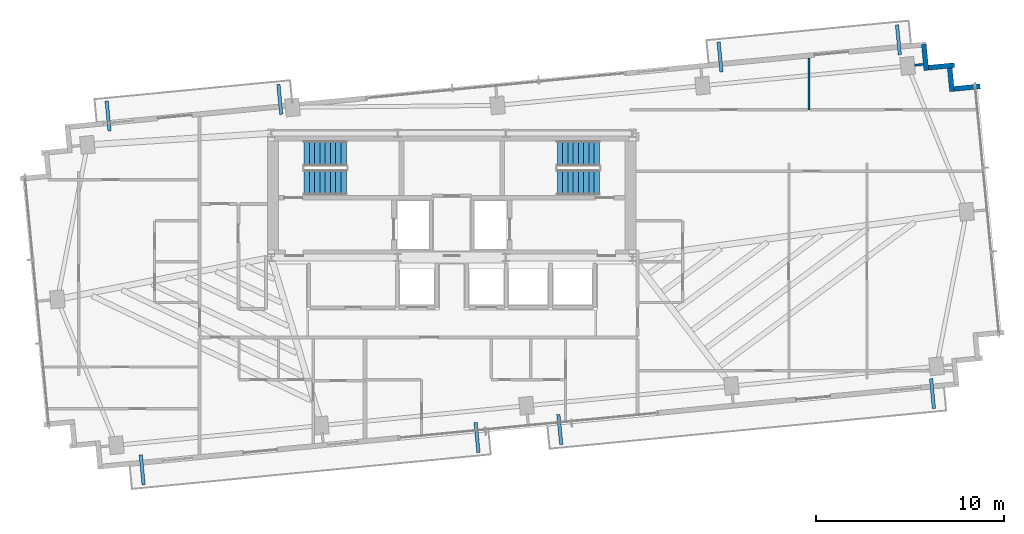
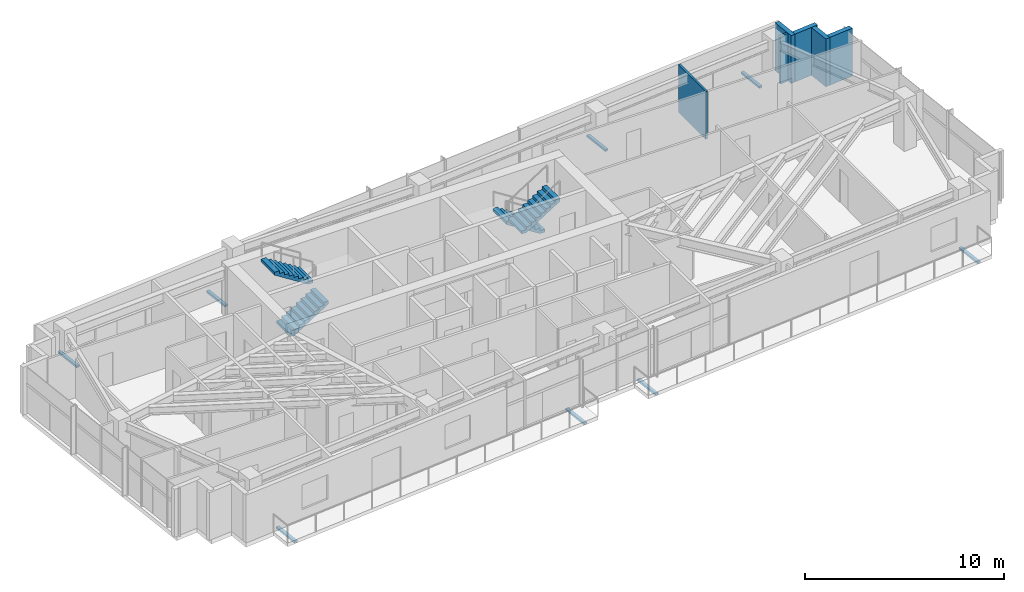
# One storey, part 16 of 18: 8 discrete accessories, 6 walls, 4 stair flights, 2 elements without a shape of their own.
"""IFC4 building model written with IfcOpenShell, lengths in metres."""

from ifc_helpers import new_model, si_unit, direction, frame, frame_2d, origin, origin_2d, place, context, subcontext, project, spatial, polyline, rectangle, outline, extrude, source, transform, mapped, material, layer, layer_set, type_object, type_shapes, element, aggregate, save


model = new_model("IFC4")

# Units and contexts
model_context = context("Model", 3, precision=1e-05, world=origin(), true_north=direction((0.0, 1.0)))
body_context = subcontext(model_context, "Body", "Model", "MODEL_VIEW")
ifc_project = project(units=[si_unit("LENGTHUNIT", "METRE"), si_unit("AREAUNIT", "SQUARE_METRE"), si_unit("VOLUMEUNIT", "CUBIC_METRE"), si_unit("PLANEANGLEUNIT", "RADIAN"), si_unit("MASSUNIT", "GRAM", prefix="KILO")], contexts=[model_context])

# Site, building, storey
site_placement = place(None, origin())
site = spatial("IfcSite", under=ifc_project, at=site_placement, CompositionType="ELEMENT")
building_placement = place(site_placement, origin())
building = spatial("IfcBuilding", under=site, at=building_placement, Name="Astriad Promenade Condominiums", CompositionType="ELEMENT")
storey_placement = place(building_placement, frame((0.0, 0.0, 176.199951171875)))
storey = spatial("IfcBuildingStorey", under=building, at=storey_placement, Name="L50", CompositionType="ELEMENT", Elevation=176.199951171875)

# Walls
ifc_material_1 = material(Name="Precast concrete C50/60", Category="concrete")
ifc_layer_1 = layer(ifc_material_1, 0.260009765625)
ifc_layer_set_1 = layer_set([ifc_layer_1], Name="Precast concrete C50/60")
wall_type_1 = type_object("IfcWallType", Name="WALL-EXT-TWR-260", PredefinedType="STANDARD", material=ifc_layer_set_1)
wall_1_placement = place(storey_placement, frame((61.093994140625, 28.735107421875, 0.0), z_axis=(0.0, 0.0, 1.0), x_axis=(0.095742423056, -0.99540614245, 0.0)))
element("IfcWall", 1, at=wall_1_placement, inside=storey, type_object=wall_type_1, Name="W-SER-L50-09", PredefinedType="STANDARD", context=body_context, shape_type="SweptSolid", body=[
    extrude(rectangle(XDim=1.394775390625, YDim=0.260009765625, at=frame_2d((0.697265625, 0.0))), origin(), (0.0, 0.0, 1.0), 2.93994140625),
])
wall_2_placement = place(storey_placement, frame((61.32958984375, 27.487060546875, 0.0), z_axis=(0.0, 0.0, 1.0), x_axis=(0.995391056452, 0.09589913835, 0.0)))
element("IfcWall", 2, at=wall_2_placement, inside=storey, type_object=wall_type_1, Name="W-SER-L50-10", PredefinedType="STANDARD", context=body_context, shape_type="SweptSolid", body=[
    extrude(rectangle(XDim=1.39501953125, YDim=0.260009765625, at=frame_2d((0.697509765625, 0.0))), origin(), (0.0, 0.0, 1.0), 2.93994140625),
])
for number, where, z_axis, x_axis, name in (
    (3, (62.4580078125, 27.610595703125, 0.0), (0.0, 0.0, 1.0), (0.095915846097, -0.995389446633, 0.0), "W-SER-L50-11"),
    (4, (62.69384765625, 26.362548828125, 0.0), (0.0, 0.0, 1.0), (0.995389446633, 0.095915846097, 0.0), "W-SER-L50-12"),
):
    element("IfcWall", number, at=place(storey_placement, frame(where, z_axis=z_axis, x_axis=x_axis)), inside=storey, type_object=wall_type_1, Name=name, PredefinedType="STANDARD", context=body_context, shape_type="SweptSolid", body=[
        extrude(rectangle(XDim=1.394775390625, YDim=0.260009765625, at=frame_2d((0.697265625, 0.0))), origin(), (0.0, 0.0, 1.0), 2.93994140625),
    ])
ifc_material_2 = material(Name="Acoustic Metal-Stud Gypsum Partition")
ifc_layer_2 = layer(ifc_material_2, 0.1201171875)
ifc_layer_set_2 = layer_set([ifc_layer_2], Name="Acoustic Metal-Stud Gypsum Partition")
wall_type_2 = type_object("IfcWallType", Name="WALL-PART-120", PredefinedType="PARTITIONING", material=ifc_layer_set_2)
wall_3_placement = place(storey_placement, frame((54.98291015625, 25.2470703125, 0.0), z_axis=(0.0, 0.0, 1.0), x_axis=(0.0, 1.0, 0.0)))
element("IfcWall", 5, at=wall_3_placement, inside=storey, type_object=wall_type_2, Name="PT-L50-E1-B1M", PredefinedType="PARTITIONING", context=body_context, shape_type="SweptSolid", body=[
    extrude(rectangle(XDim=2.751953125, YDim=0.1201171875, at=frame_2d((1.3759765625, 0.0))), origin(), (0.0, 0.0, 1.0), 2.93994140625),
])
wall_4_placement = place(storey_placement, frame((60.60888671875, 27.618408203125, 0.0), z_axis=(0.0, 0.0, 1.0), x_axis=(0.995384576284, 0.09596637586, 0.0)))
element("IfcWall", 6, at=wall_4_placement, inside=storey, type_object=wall_type_2, Name="PT-PIL-L50-PC10-17", PredefinedType="PARTITIONING", context=body_context, shape_type="SweptSolid", body=[
    extrude(rectangle(XDim=0.4580078125, YDim=0.1201171875, at=frame_2d((0.22900390625, 0.0))), origin(), (0.0, 0.0, 1.0), 2.93994140625),
])

# Stair, stair flights
ifc_material_3 = material(Name="Concrete C50/60", Category="concrete")
stair_type = type_object("IfcStairType", Name="STR-CORE-1350", PredefinedType="HALF_TURN_STAIR", material=ifc_material_3)
stair_1_placement = place(storey_placement, origin())
stair_1 = element("IfcStair", 7, at=stair_1_placement, inside=storey, type_object=stair_type, Name="L50 Enclosed Core Exit Stair ST-1", PredefinedType="HALF_TURN_STAIR")
stair_flight_type = type_object("IfcStairFlightType", Name="SFL-CORE-1350", PredefinedType="STRAIGHT", material=ifc_material_3)
shared_shape_1 = source(origin(), body_context, "Body", "SweptSolid", [
    extrude(outline(polyline([(0.0, 0.0), (0.0, 0.177734375), (0.280029296875, 0.177734375), (0.280029296875, 0.35546875), (0.56005859375, 0.35546875), (0.56005859375, 0.533447265625), (0.840087890625, 0.533447265625), (0.840087890625, 0.711181640625), (1.1201171875, 0.711181640625), (1.1201171875, 0.888916015625), (1.39990234375, 0.888916015625), (1.39990234375, 1.066650390625), (1.679931640625, 1.066650390625), (1.679931640625, 1.244384765625), (1.9599609375, 1.244384765625), (1.9599609375, 1.422119140625), (2.239990234375, 1.422119140625), (2.239990234375, 1.60009765625), (2.239990234375, 1.24462890625), (0.27978515625, 0.0), (0.0, 0.0)])), frame((0.0, 0.675048828125, 0.0), z_axis=(0.0, -1.0, 0.0), x_axis=(1.0, 0.0, 0.0)), (0.0, 0.0, 1.0), 1.35009765625),
])
type_shapes(stair_flight_type, [shared_shape_1])
stair_flight_1_placement = place(storey_placement, frame((28.14990234375, 21.375, 0.0), z_axis=(0.0, 0.0, 1.0), x_axis=(1.0, 0.0, 0.0)))
stair_flight_1 = element("IfcStairFlight", 8, at=stair_flight_1_placement, type_object=stair_flight_type, Name="ST-1 flight 1", NumberOfRisers=9, NumberOfTreads=8, PredefinedType="STRAIGHT", RiserHeight=0.177777778, TreadLength=0.28, context=body_context, shape_type="MappedRepresentation", body=[
    mapped(shared_shape_1, transform((0.0, 0.0, 0.0), scale=1.0)),
])
stair_flight_2_placement = place(storey_placement, frame((30.389892578125, 22.925048828125, 1.60009765625), z_axis=(0.0, 0.0, 1.0), x_axis=(-1.0, 0.0, 0.0)))
stair_flight_2 = element("IfcStairFlight", 9, at=stair_flight_2_placement, type_object=stair_flight_type, Name="ST-1 flight 2", NumberOfRisers=9, NumberOfTreads=8, PredefinedType="STRAIGHT", RiserHeight=0.177777778, TreadLength=0.28, context=body_context, shape_type="MappedRepresentation", body=[
    mapped(shared_shape_1, transform((0.0, 0.0, 0.0), scale=1.0)),
])
aggregate(stair_1, [stair_flight_1, stair_flight_2])

stair_2_placement = place(storey_placement, origin())
stair_2 = element("IfcStair", 10, at=stair_2_placement, inside=storey, type_object=stair_type, Name="L50 Enclosed Core Exit Stair ST-2", PredefinedType="HALF_TURN_STAIR")
stair_flight_3_placement = place(storey_placement, frame((43.85009765625, 22.925048828125, 0.0), z_axis=(0.0, 0.0, 1.0), x_axis=(-1.0, 0.0, 0.0)))
stair_flight_3 = element("IfcStairFlight", 11, at=stair_flight_3_placement, type_object=stair_flight_type, Name="ST-2 flight 1", NumberOfRisers=9, NumberOfTreads=8, PredefinedType="STRAIGHT", RiserHeight=0.177777778, TreadLength=0.28, context=body_context, shape_type="MappedRepresentation", body=[
    mapped(shared_shape_1, transform((0.0, 0.0, 0.0), scale=1.0)),
])
stair_flight_4_placement = place(storey_placement, frame((41.610107421875, 21.375, 1.60009765625), z_axis=(0.0, 0.0, 1.0), x_axis=(1.0, 0.0, 0.0)))
stair_flight_4 = element("IfcStairFlight", 12, at=stair_flight_4_placement, type_object=stair_flight_type, Name="ST-2 flight 2", NumberOfRisers=9, NumberOfTreads=8, PredefinedType="STRAIGHT", RiserHeight=0.177777778, TreadLength=0.28, context=body_context, shape_type="MappedRepresentation", body=[
    mapped(shared_shape_1, transform((0.0, 0.0, 0.0), scale=1.0)),
])
aggregate(stair_2, [stair_flight_3, stair_flight_4])

# Discrete accessories
ifc_material_4 = material(Name="Steel ASTM A572 Grade 50", Category="steel")
discrete_accessory_type = type_object("IfcDiscreteAccessoryType", Name="STEEL BALCONY OUTRIGGER BRACKET", PredefinedType="BRACKET", material=ifc_material_4)
shared_shape_2 = source(origin(), body_context, "Body", "SweptSolid", [
    extrude(rectangle(XDim=1.60009765625, YDim=0.179931640625, at=origin_2d()), origin(), (0.0, 0.0, 1.0), 0.1220703125),
])
type_shapes(discrete_accessory_type, [shared_shape_2])
for number, where, z_axis, x_axis, name in (
    (13, (19.541015625, 6.11328125, -0.340087890625), (0.0, 0.0, 1.0), (0.09584575252, -0.995396198367, 0.0), "Balcony Outrigger Bracket BAL-L50-SW-A"),
    (14, (37.340576171875, 7.8271484375, -0.340087890625), (0.0, 0.0, 1.0), (0.09584575252, -0.995396198367, 0.0), "Balcony Outrigger Bracket BAL-L50-SW-B"),
    (15, (41.7421875, 8.251220703125, -0.340087890625), (0.0, 0.0, 1.0), (0.09584575252, -0.995396198367, 0.0), "Balcony Outrigger Bracket BAL-L50-SE-A"),
    (16, (61.553466796875, 10.15869140625, -0.340087890625), (0.0, 0.0, 1.0), (0.09584575252, -0.995396198367, 0.0), "Balcony Outrigger Bracket BAL-L50-SE-B"),
    (17, (17.7294921875, 24.92626953125, -0.340087890625), (0.0, 0.0, 1.0), (-0.09584575252, 0.995396198367, 0.0), "Balcony Outrigger Bracket BAL-L50-NW-A"),
    (18, (26.857177734375, 25.80517578125, -0.340087890625), (0.0, 0.0, 1.0), (-0.09584575252, 0.995396198367, 0.0), "Balcony Outrigger Bracket BAL-L50-NW-B"),
    (19, (50.2587890625, 28.05859375, -0.340087890625), (0.0, 0.0, 1.0), (-0.09584575252, 0.995396198367, 0.0), "Balcony Outrigger Bracket BAL-L50-NE-A"),
    (20, (59.7421875, 28.9716796875, -0.340087890625), (0.0, 0.0, 1.0), (-0.09584575252, 0.995396198367, 0.0), "Balcony Outrigger Bracket BAL-L50-NE-B"),
):
    element("IfcDiscreteAccessory", number, at=place(storey_placement, frame(where, z_axis=z_axis, x_axis=x_axis)), inside=storey, type_object=discrete_accessory_type, Name=name, PredefinedType="BRACKET", context=body_context, shape_type="MappedRepresentation", body=[
        mapped(shared_shape_2, transform((0.0, 0.0, 0.0), scale=1.0)),
    ])

save(model, "model.ifc")
